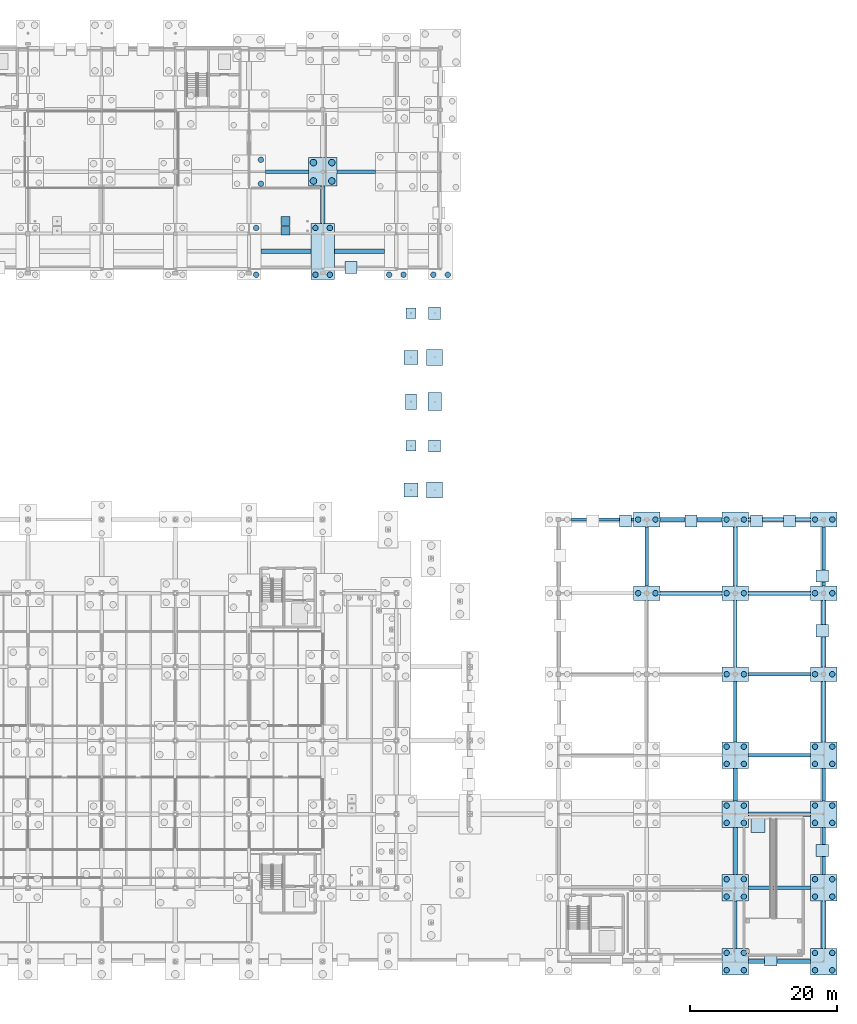
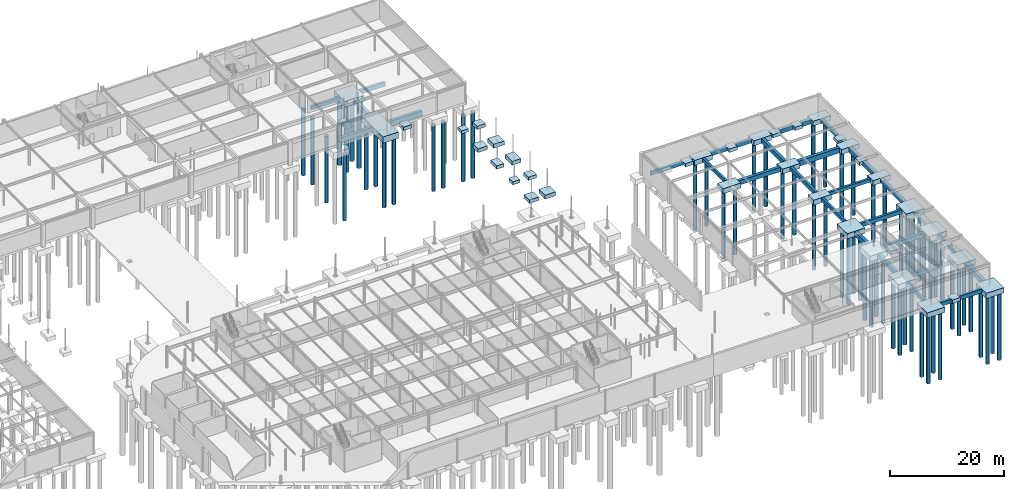
# One storey, part 10 of 75: 68 footings, 64 piles.
"""IFC4 building model written with IfcOpenShell, lengths in metres."""

from ifc_helpers import new_model, si_unit, derived_unit, direction, frame, origin, origin_2d_with_axis, place, context, subcontext, project, spatial, rectangle, circle, extrude, material, layer, layer_set, material_profile, profile_set, type_object, element, save


model = new_model("IFC4")

# Units and contexts
model_context = context("Model", 3, precision=1e-05, world=origin(), true_north=direction((0.0, 1.0)))
body_context = subcontext(model_context, "Body", "Model", "MODEL_VIEW")
ifc_project = project(units=[si_unit("LENGTHUNIT", "METRE"), si_unit("AREAUNIT", "SQUARE_METRE"), si_unit("VOLUMEUNIT", "CUBIC_METRE"), si_unit("PLANEANGLEUNIT", "RADIAN"), si_unit("MASSUNIT", "GRAM", prefix="KILO"), derived_unit("THERMALTRANSMITTANCEUNIT", [(si_unit("POWERUNIT", "WATT"), 1), (si_unit("LENGTHUNIT", "METRE"), -2), (si_unit("THERMODYNAMICTEMPERATUREUNIT", "KELVIN"), -1)])], contexts=[model_context])

# Site, building, storey
site_placement = place(None, origin())
site = spatial("IfcSite", under=ifc_project, at=site_placement, CompositionType="ELEMENT")
building_placement = place(site_placement, origin())
building = spatial("IfcBuilding", under=site, at=building_placement, Name="Cinnabar Yard Market Hall", CompositionType="ELEMENT")
storey_placement = place(building_placement, frame((0.0, 0.0, -4.5)))
storey = spatial("IfcBuildingStorey", under=building, at=storey_placement, Name="B1", CompositionType="ELEMENT", Elevation=-4.5)

# Footings
ifc_material = material(Name="Concrete 40 MPa", Category="concrete")
ifc_material_profile_1 = material_profile(ifc_material, rectangle(XDim=0.449951171875, YDim=0.75, at=origin_2d_with_axis()), Name="GB-450x750")
ifc_profile_set_1 = profile_set([ifc_material_profile_1], Name="Concrete 40 MPa")
footing_type_1 = type_object("IfcFootingType", Name="FT-GB01", PredefinedType="FOOTING_BEAM", material=ifc_profile_set_1)
for number, where, z_axis, x_axis, name in (
    (1, (203.800048828125, 24.0, -0.824951171875), (1.0, 0.0, 0.0), (0.0, 1.0, 0.0), "Ground Beam X 0020"),
    (2, (203.800048828125, 53.0, -0.824951171875), (1.0, 0.0, 0.0), (0.0, 1.0, 0.0), "Ground Beam X 0056"),
    (3, (179.800048828125, 74.0, -0.824951171875), (1.0, 0.0, 0.0), (0.0, 1.0, 0.0), "Ground Beam X 0096"),
):
    element("IfcFooting", number, at=place(storey_placement, frame(where, z_axis=z_axis, x_axis=x_axis)), inside=storey, type_object=footing_type_1, Name=name, PredefinedType="FOOTING_BEAM", context=body_context, shape_type="SweptSolid", body=[
        extrude(rectangle(XDim=0.449951171875, YDim=0.75, at=origin_2d_with_axis()), origin(), (0.0, 0.0, 1.0), 8.39990234375),
    ])
footing_1_placement = place(storey_placement, frame((138.25, 121.199951171875, -0.824951171875), z_axis=(1.0, 0.0, 0.0), x_axis=(0.0, 1.0, 0.0)))
element("IfcFooting", 4, at=footing_1_placement, inside=storey, type_object=footing_type_1, Name="Ground Beam X 0128", PredefinedType="FOOTING_BEAM", context=body_context, shape_type="SweptSolid", body=[
    extrude(rectangle(XDim=0.449951171875, YDim=0.75, at=origin_2d_with_axis()), origin(), (0.0, 0.0, 1.0), 5.800048828125),
])
footing_2_placement = place(storey_placement, frame((190.0, 65.0, -0.824951171875), z_axis=(0.0, 1.0, 0.0), x_axis=(-1.0, 0.0, 0.0)))
element("IfcFooting", 5, at=footing_2_placement, inside=storey, type_object=footing_type_1, Name="Ground Beam Y 0276", PredefinedType="FOOTING_BEAM", context=body_context, shape_type="SweptSolid", body=[
    extrude(rectangle(XDim=0.449951171875, YDim=0.75, at=origin_2d_with_axis()), origin(), (0.0, 0.0, 1.0), 8.0),
])
footing_3_placement = place(storey_placement, frame((202.0, 43.800048828125, -0.824951171875), z_axis=(0.0, 1.0, 0.0), x_axis=(-1.0, 0.0, 0.0)))
element("IfcFooting", 6, at=footing_3_placement, inside=storey, type_object=footing_type_1, Name="Ground Beam Y 0280", PredefinedType="FOOTING_BEAM", context=body_context, shape_type="SweptSolid", body=[
    extrude(rectangle(XDim=0.449951171875, YDim=0.75, at=origin_2d_with_axis()), origin(), (0.0, 0.0, 1.0), 8.199951171875),
])
footing_4_placement = place(storey_placement, frame((214.0, 25.800048828125, -0.824951171875), z_axis=(0.0, 1.0, 0.0), x_axis=(-1.0, 0.0, 0.0)))
element("IfcFooting", 7, at=footing_4_placement, inside=storey, type_object=footing_type_1, Name="Ground Beam Y 0284", PredefinedType="FOOTING_BEAM", context=body_context, shape_type="SweptSolid", body=[
    extrude(rectangle(XDim=0.449951171875, YDim=0.75, at=origin_2d_with_axis()), origin(), (0.0, 0.0, 1.0), 6.39990234375),
])
footing_5_placement = place(storey_placement, frame((214.0, 65.0, -0.824951171875), z_axis=(0.0, 1.0, 0.0), x_axis=(-1.0, 0.0, 0.0)))
element("IfcFooting", 8, at=footing_5_placement, inside=storey, type_object=footing_type_1, Name="Ground Beam Y 0288", PredefinedType="FOOTING_BEAM", context=body_context, shape_type="SweptSolid", body=[
    extrude(rectangle(XDim=0.449951171875, YDim=0.75, at=origin_2d_with_axis()), origin(), (0.0, 0.0, 1.0), 8.0),
])
ifc_material_profile_2 = material_profile(ifc_material, rectangle(XDim=0.5, YDim=0.85009765625, at=origin_2d_with_axis()), Name="GB-500x850")
ifc_profile_set_2 = profile_set([ifc_material_profile_2], Name="Concrete 40 MPa")
footing_type_2 = type_object("IfcFootingType", Name="FT-GB02", PredefinedType="FOOTING_BEAM", material=ifc_profile_set_2)
for number, where, z_axis, x_axis, name in (
    (9, (203.800048828125, 14.0, -0.875), (1.0, 0.0, 0.0), (0.0, 1.0, 0.0), "Ground Beam X 0009"),
    (10, (203.800048828125, 42.0, -0.875), (1.0, 0.0, 0.0), (0.0, 1.0, 0.0), "Ground Beam X 0037"),
    (11, (191.800048828125, 74.0, -0.875), (1.0, 0.0, 0.0), (0.0, 1.0, 0.0), "Ground Beam X 0097"),
):
    element("IfcFooting", number, at=place(storey_placement, frame(where, z_axis=z_axis, x_axis=x_axis)), inside=storey, type_object=footing_type_2, Name=name, PredefinedType="FOOTING_BEAM", context=body_context, shape_type="SweptSolid", body=[
        extrude(rectangle(XDim=0.5, YDim=0.85009765625, at=origin_2d_with_axis()), origin(), (0.0, 0.0, 1.0), 8.39990234375),
    ])
footing_6_placement = place(storey_placement, frame((147.949951171875, 121.199951171875, -0.875), z_axis=(1.0, 0.0, 0.0), x_axis=(0.0, 1.0, 0.0)))
element("IfcFooting", 12, at=footing_6_placement, inside=storey, type_object=footing_type_2, Name="Ground Beam X 0129", PredefinedType="FOOTING_BEAM", context=body_context, shape_type="SweptSolid", body=[
    extrude(rectangle(XDim=0.5, YDim=0.85009765625, at=origin_2d_with_axis()), origin(), (0.0, 0.0, 1.0), 5.25),
])
footing_7_placement = place(storey_placement, frame((202.0, 15.800048828125, -0.875), z_axis=(0.0, 1.0, 0.0), x_axis=(-1.0, 0.0, 0.0)))
element("IfcFooting", 13, at=footing_7_placement, inside=storey, type_object=footing_type_2, Name="Ground Beam Y 0277", PredefinedType="FOOTING_BEAM", context=body_context, shape_type="SweptSolid", body=[
    extrude(rectangle(XDim=0.5, YDim=0.85009765625, at=origin_2d_with_axis()), origin(), (0.0, 0.0, 1.0), 6.39990234375),
])
footing_8_placement = place(storey_placement, frame((202.0, 54.0, -0.875), z_axis=(0.0, 1.0, 0.0), x_axis=(-1.0, 0.0, 0.0)))
element("IfcFooting", 14, at=footing_8_placement, inside=storey, type_object=footing_type_2, Name="Ground Beam Y 0281", PredefinedType="FOOTING_BEAM", context=body_context, shape_type="SweptSolid", body=[
    extrude(rectangle(XDim=0.5, YDim=0.85009765625, at=origin_2d_with_axis()), origin(), (0.0, 0.0, 1.0), 9.0),
])
footing_9_placement = place(storey_placement, frame((214.0, 35.800048828125, -0.875), z_axis=(0.0, 1.0, 0.0), x_axis=(-1.0, 0.0, 0.0)))
element("IfcFooting", 15, at=footing_9_placement, inside=storey, type_object=footing_type_2, Name="Ground Beam Y 0285", PredefinedType="FOOTING_BEAM", context=body_context, shape_type="SweptSolid", body=[
    extrude(rectangle(XDim=0.5, YDim=0.85009765625, at=origin_2d_with_axis()), origin(), (0.0, 0.0, 1.0), 4.39990234375),
])
ifc_material_profile_3 = material_profile(ifc_material, rectangle(XDim=0.60009765625, YDim=0.949951171875, at=origin_2d_with_axis()), Name="GB-600x950")
ifc_profile_set_3 = profile_set([ifc_material_profile_3], Name="Concrete 40 MPa")
footing_type_3 = type_object("IfcFootingType", Name="FT-GB03", PredefinedType="FOOTING_BEAM", material=ifc_profile_set_3)
for number, where, z_axis, x_axis, name in (
    (16, (203.800048828125, 34.0, -0.925048828125), (1.0, 0.0, 0.0), (0.0, 1.0, 0.0), "Ground Beam X 0034"),
    (17, (191.800048828125, 64.0, -0.925048828125), (1.0, 0.0, 0.0), (0.0, 1.0, 0.0), "Ground Beam X 0082"),
    (18, (203.800048828125, 74.0, -0.925048828125), (1.0, 0.0, 0.0), (0.0, 1.0, 0.0), "Ground Beam X 0098"),
):
    element("IfcFooting", number, at=place(storey_placement, frame(where, z_axis=z_axis, x_axis=x_axis)), inside=storey, type_object=footing_type_3, Name=name, PredefinedType="FOOTING_BEAM", context=body_context, shape_type="SweptSolid", body=[
        extrude(rectangle(XDim=0.60009765625, YDim=0.949951171875, at=origin_2d_with_axis()), origin(), (0.0, 0.0, 1.0), 8.39990234375),
    ])
footing_10_placement = place(storey_placement, frame((137.60009765625, 110.39990234375, -0.925048828125), z_axis=(1.0, 0.0, 0.0), x_axis=(0.0, 1.0, 0.0)))
element("IfcFooting", 19, at=footing_10_placement, inside=storey, type_object=footing_type_3, Name="Ground Beam X 0118", PredefinedType="FOOTING_BEAM", context=body_context, shape_type="SweptSolid", body=[
    extrude(rectangle(XDim=0.60009765625, YDim=0.949951171875, at=origin_2d_with_axis()), origin(), (0.0, 0.0, 1.0), 6.7998046875),
])
footing_11_placement = place(storey_placement, frame((146.0, 114.199951171875, -0.925048828125), z_axis=(0.0, 1.0, 0.0), x_axis=(-1.0, 0.0, 0.0)))
element("IfcFooting", 20, at=footing_11_placement, inside=storey, type_object=footing_type_3, Name="Ground Beam Y 0250", PredefinedType="FOOTING_BEAM", context=body_context, shape_type="SweptSolid", body=[
    extrude(rectangle(XDim=0.60009765625, YDim=0.949951171875, at=origin_2d_with_axis()), origin(), (0.0, 0.0, 1.0), 5.050048828125),
])
footing_12_placement = place(storey_placement, frame((202.0, 25.800048828125, -0.925048828125), z_axis=(0.0, 1.0, 0.0), x_axis=(-1.0, 0.0, 0.0)))
element("IfcFooting", 21, at=footing_12_placement, inside=storey, type_object=footing_type_3, Name="Ground Beam Y 0278", PredefinedType="FOOTING_BEAM", context=body_context, shape_type="SweptSolid", body=[
    extrude(rectangle(XDim=0.60009765625, YDim=0.949951171875, at=origin_2d_with_axis()), origin(), (0.0, 0.0, 1.0), 6.39990234375),
])
footing_13_placement = place(storey_placement, frame((202.0, 65.0, -0.925048828125), z_axis=(0.0, 1.0, 0.0), x_axis=(-1.0, 0.0, 0.0)))
element("IfcFooting", 22, at=footing_13_placement, inside=storey, type_object=footing_type_3, Name="Ground Beam Y 0282", PredefinedType="FOOTING_BEAM", context=body_context, shape_type="SweptSolid", body=[
    extrude(rectangle(XDim=0.60009765625, YDim=0.949951171875, at=origin_2d_with_axis()), origin(), (0.0, 0.0, 1.0), 8.0),
])
footing_14_placement = place(storey_placement, frame((214.0, 43.800048828125, -0.925048828125), z_axis=(0.0, 1.0, 0.0), x_axis=(-1.0, 0.0, 0.0)))
element("IfcFooting", 23, at=footing_14_placement, inside=storey, type_object=footing_type_3, Name="Ground Beam Y 0286", PredefinedType="FOOTING_BEAM", context=body_context, shape_type="SweptSolid", body=[
    extrude(rectangle(XDim=0.60009765625, YDim=0.949951171875, at=origin_2d_with_axis()), origin(), (0.0, 0.0, 1.0), 8.199951171875),
])
ifc_material_profile_4 = material_profile(ifc_material, rectangle(XDim=0.64990234375, YDim=1.10009765625, at=origin_2d_with_axis()), Name="GB-650x1100")
ifc_profile_set_4 = profile_set([ifc_material_profile_4], Name="Concrete 40 MPa")
footing_type_4 = type_object("IfcFootingType", Name="FT-GB04", PredefinedType="FOOTING_BEAM", material=ifc_profile_set_4)
footing_15_placement = place(storey_placement, frame((203.800048828125, 64.0, -1.0), z_axis=(1.0, 0.0, 0.0), x_axis=(0.0, 1.0, 0.0)))
element("IfcFooting", 24, at=footing_15_placement, inside=storey, type_object=footing_type_4, Name="Ground Beam X 0083", PredefinedType="FOOTING_BEAM", context=body_context, shape_type="SweptSolid", body=[
    extrude(rectangle(XDim=0.64990234375, YDim=1.10009765625, at=origin_2d_with_axis()), origin(), (0.0, 0.0, 1.0), 8.39990234375),
])
footing_16_placement = place(storey_placement, frame((147.60009765625, 110.39990234375, -1.0), z_axis=(1.0, 0.0, 0.0), x_axis=(0.0, 1.0, 0.0)))
element("IfcFooting", 25, at=footing_16_placement, inside=storey, type_object=footing_type_4, Name="Ground Beam X 0119", PredefinedType="FOOTING_BEAM", context=body_context, shape_type="SweptSolid", body=[
    extrude(rectangle(XDim=0.64990234375, YDim=1.10009765625, at=origin_2d_with_axis()), origin(), (0.0, 0.0, 1.0), 6.7998046875),
])
footing_17_placement = place(storey_placement, frame((202.0, 35.800048828125, -1.0), z_axis=(0.0, 1.0, 0.0), x_axis=(-1.0, 0.0, 0.0)))
element("IfcFooting", 26, at=footing_17_placement, inside=storey, type_object=footing_type_4, Name="Ground Beam Y 0279", PredefinedType="FOOTING_BEAM", context=body_context, shape_type="SweptSolid", body=[
    extrude(rectangle(XDim=0.64990234375, YDim=1.10009765625, at=origin_2d_with_axis()), origin(), (0.0, 0.0, 1.0), 4.39990234375),
])
footing_18_placement = place(storey_placement, frame((214.0, 15.800048828125, -1.0), z_axis=(0.0, 1.0, 0.0), x_axis=(-1.0, 0.0, 0.0)))
element("IfcFooting", 27, at=footing_18_placement, inside=storey, type_object=footing_type_4, Name="Ground Beam Y 0283", PredefinedType="FOOTING_BEAM", context=body_context, shape_type="SweptSolid", body=[
    extrude(rectangle(XDim=0.64990234375, YDim=1.10009765625, at=origin_2d_with_axis()), origin(), (0.0, 0.0, 1.0), 6.39990234375),
])
footing_19_placement = place(storey_placement, frame((214.0, 54.0, -1.0), z_axis=(0.0, 1.0, 0.0), x_axis=(-1.0, 0.0, 0.0)))
element("IfcFooting", 28, at=footing_19_placement, inside=storey, type_object=footing_type_4, Name="Ground Beam Y 0287", PredefinedType="FOOTING_BEAM", context=body_context, shape_type="SweptSolid", body=[
    extrude(rectangle(XDim=0.64990234375, YDim=1.10009765625, at=origin_2d_with_axis()), origin(), (0.0, 0.0, 1.0), 9.0),
])
ifc_layer_1 = layer(ifc_material, 1.050048828125)
ifc_layer_set_1 = layer_set([ifc_layer_1], Name="Concrete 40 MPa")
footing_type_5 = type_object("IfcFootingType", Name="FT-PC02", PredefinedType="PILE_CAP", material=ifc_layer_set_1)
for number, where, z_axis, x_axis, name in (
    (29, (190.0, 64.0, -1.5), (0.0, 0.0, 1.0), (1.0, 0.0, 0.0), "Pile Cap V4Y-02-02"),
    (30, (190.0, 74.0, -1.5), (0.0, 0.0, 1.0), (1.0, 0.0, 0.0), "Pile Cap V4Y-02-03"),
    (31, (202.0, 53.0, -1.5), (0.0, 0.0, 1.0), (1.0, 0.0, 0.0), "Pile Cap V4Y-03-01"),
    (32, (202.0, 64.0, -1.5), (0.0, 0.0, 1.0), (1.0, 0.0, 0.0), "Pile Cap V4Y-03-02"),
    (33, (202.0, 74.0, -1.5), (0.0, 0.0, 1.0), (1.0, 0.0, 0.0), "Pile Cap V4Y-03-03"),
    (34, (214.0, 53.0, -1.5), (0.0, 0.0, 1.0), (1.0, 0.0, 0.0), "Pile Cap V4Y-04-01"),
    (35, (214.0, 64.0, -1.5), (0.0, 0.0, 1.0), (1.0, 0.0, 0.0), "Pile Cap V4Y-04-02"),
    (36, (214.0, 74.0, -1.5), (0.0, 0.0, 1.0), (1.0, 0.0, 0.0), "Pile Cap V4Y-04-03"),
):
    element("IfcFooting", number, at=place(storey_placement, frame(where, z_axis=z_axis, x_axis=x_axis)), inside=storey, type_object=footing_type_5, Name=name, PredefinedType="PILE_CAP", context=body_context, shape_type="SweptSolid", body=[
        extrude(rectangle(XDim=3.60009765625, YDim=2.0, at=origin_2d_with_axis()), origin(), (0.0, 0.0, 1.0), 1.050048828125),
    ])
ifc_layer_2 = layer(ifc_material, 1.14990234375)
ifc_layer_set_2 = layer_set([ifc_layer_2], Name="Concrete 40 MPa")
footing_type_6 = type_object("IfcFootingType", Name="FT-PC03", PredefinedType="PILE_CAP", material=ifc_layer_set_2)
for number, where, z_axis, x_axis, name in (
    (37, (202.0, 14.0, -1.599853515625), (0.0, 0.0, 1.0), (1.0, 0.0, 0.0), "Pile Cap V4-03-01"),
    (38, (202.0, 24.0, -1.599853515625), (0.0, 0.0, 1.0), (1.0, 0.0, 0.0), "Pile Cap V4-03-02"),
    (39, (202.0, 34.0, -1.599853515625), (0.0, 0.0, 1.0), (1.0, 0.0, 0.0), "Pile Cap V4-03-03"),
    (40, (202.0, 42.0, -1.599853515625), (0.0, 0.0, 1.0), (1.0, 0.0, 0.0), "Pile Cap V4-03-04"),
    (41, (214.0, 14.0, -1.599853515625), (0.0, 0.0, 1.0), (1.0, 0.0, 0.0), "Pile Cap V4-04-01"),
    (42, (214.0, 24.0, -1.599853515625), (0.0, 0.0, 1.0), (1.0, 0.0, 0.0), "Pile Cap V4-04-02"),
    (43, (214.0, 34.0, -1.599853515625), (0.0, 0.0, 1.0), (1.0, 0.0, 0.0), "Pile Cap V4-04-03"),
    (44, (214.0, 42.0, -1.599853515625), (0.0, 0.0, 1.0), (1.0, 0.0, 0.0), "Pile Cap V4-04-04"),
):
    element("IfcFooting", number, at=place(storey_placement, frame(where, z_axis=z_axis, x_axis=x_axis)), inside=storey, type_object=footing_type_6, Name=name, PredefinedType="PILE_CAP", context=body_context, shape_type="SweptSolid", body=[
        extrude(rectangle(XDim=3.60009765625, YDim=3.60009765625, at=origin_2d_with_axis()), origin(), (0.0, 0.0, 1.0), 1.14990234375),
    ])
ifc_layer_3 = layer(ifc_material, 1.199951171875)
ifc_layer_set_3 = layer_set([ifc_layer_3], Name="Concrete 40 MPa")
footing_type_7 = type_object("IfcFootingType", Name="FT-PC04", PredefinedType="PILE_CAP", material=ifc_layer_set_3)
footing_20_placement = place(storey_placement, frame((146.0, 121.199951171875, -1.64990234375), z_axis=(0.0, 0.0, 1.0), x_axis=(1.0, 0.0, 0.0)))
element("IfcFooting", 45, at=footing_20_placement, inside=storey, type_object=footing_type_7, Name="Pile Cap V3-09-03", PredefinedType="PILE_CAP", context=body_context, shape_type="SweptSolid", body=[
    extrude(rectangle(XDim=3.89990234375, YDim=3.89990234375, at=origin_2d_with_axis()), origin(), (0.0, 0.0, 1.0), 1.199951171875),
])
ifc_layer_4 = layer(ifc_material, 1.35009765625)
ifc_layer_set_4 = layer_set([ifc_layer_4], Name="Concrete 40 MPa")
footing_type_8 = type_object("IfcFootingType", Name="FT-PC17", PredefinedType="PILE_CAP", material=ifc_layer_set_4)
footing_21_placement = place(storey_placement, frame((146.0, 110.39990234375, -1.800048828125), z_axis=(0.0, 0.0, 1.0), x_axis=(1.0, 0.0, 0.0)))
element("IfcFooting", 46, at=footing_21_placement, inside=storey, type_object=footing_type_8, Name="Pile Cap V3-09-01-PAIR", PredefinedType="PILE_CAP", context=body_context, shape_type="SweptSolid", body=[
    extrude(rectangle(XDim=3.199951171875, YDim=7.60009765625, at=origin_2d_with_axis()), origin(), (0.0, 0.0, 1.0), 1.35009765625),
])
ifc_layer_5 = layer(ifc_material, 0.64990234375)
ifc_layer_set_5 = layer_set([ifc_layer_5], Name="Concrete 40 MPa")
footing_type_9 = type_object("IfcFootingType", Name="FT-PF01", PredefinedType="PAD_FOOTING", material=ifc_layer_set_5)
for number, where, z_axis, x_axis, name in (
    (47, (158.0, 84.0, -1.099853515625), (0.0, 0.0, 1.0), (1.0, 0.0, 0.0), "Pad Footing V5E-A2"),
    (48, (158.0, 102.0, -1.099853515625), (0.0, 0.0, 1.0), (1.0, 0.0, 0.0), "Pad Footing V5E-A5"),
):
    element("IfcFooting", number, at=place(storey_placement, frame(where, z_axis=z_axis, x_axis=x_axis)), inside=storey, type_object=footing_type_9, Name=name, PredefinedType="PAD_FOOTING", context=body_context, shape_type="SweptSolid", body=[
        extrude(rectangle(XDim=1.39990234375, YDim=1.39990234375, at=origin_2d_with_axis()), origin(), (0.0, 0.0, 1.0), 0.64990234375),
    ])
ifc_layer_6 = layer(ifc_material, 0.719970703125)
ifc_layer_set_6 = layer_set([ifc_layer_6], Name="Concrete 40 MPa")
footing_type_10 = type_object("IfcFootingType", Name="FT-PF02", PredefinedType="PAD_FOOTING", material=ifc_layer_set_6)
for number, where, z_axis, x_axis, name in (
    (49, (161.199951171875, 84.0, -1.169921875), (0.0, 0.0, 1.0), (1.0, 0.0, 0.0), "Pad Footing V5E-B2"),
    (50, (161.199951171875, 102.0, -1.169921875), (0.0, 0.0, 1.0), (1.0, 0.0, 0.0), "Pad Footing V5E-B5"),
    (51, (149.85009765625, 108.199951171875, -1.169921875), (0.0, 0.0, 1.0), (1.0, 0.0, 0.0), "Wall Pad B1-RET-V3S-7"),
    (52, (206.824951171875, 14.199951171875, -1.169921875), (0.0, 0.0, 1.0), (1.0, 0.0, 0.0), "Wall Pad B1-RET-V4S-7"),
    (53, (213.800048828125, 29.10009765625, -1.169921875), (0.0, 0.0, 1.0), (1.0, 0.0, 0.0), "Wall Pad B1-RET-V4E-2"),
    (54, (213.800048828125, 58.89990234375, -1.169921875), (0.0, 0.0, 1.0), (1.0, 0.0, 0.0), "Wall Pad B1-RET-V4E-6"),
    (55, (213.800048828125, 66.35009765625, -1.169921875), (0.0, 0.0, 1.0), (1.0, 0.0, 0.0), "Wall Pad B1-RET-V4E-7"),
    (56, (209.35009765625, 73.800048828125, -1.169921875), (0.0, 0.0, 1.0), (1.0, 0.0, 0.0), "Wall Pad B1-RET-V4N-1"),
    (57, (204.89990234375, 73.800048828125, -1.169921875), (0.0, 0.0, 1.0), (1.0, 0.0, 0.0), "Wall Pad B1-RET-V4N-2"),
    (58, (196.0, 73.800048828125, -1.169921875), (0.0, 0.0, 1.0), (1.0, 0.0, 0.0), "Wall Pad B1-RET-V4N-4"),
    (59, (187.10009765625, 73.800048828125, -1.169921875), (0.0, 0.0, 1.0), (1.0, 0.0, 0.0), "Wall Pad B1-RET-V4N-6"),
):
    element("IfcFooting", number, at=place(storey_placement, frame(where, z_axis=z_axis, x_axis=x_axis)), inside=storey, type_object=footing_type_10, Name=name, PredefinedType="PAD_FOOTING", context=body_context, shape_type="SweptSolid", body=[
        extrude(rectangle(XDim=1.64990234375, YDim=1.64990234375, at=origin_2d_with_axis()), origin(), (0.0, 0.0, 1.0), 0.719970703125),
    ])
ifc_layer_7 = layer(ifc_material, 0.780029296875)
ifc_layer_set_7 = layer_set([ifc_layer_7], Name="Concrete 40 MPa")
footing_type_11 = type_object("IfcFootingType", Name="FT-PF03", PredefinedType="PAD_FOOTING", material=ifc_layer_set_7)
for number, where, z_axis, x_axis, name in (
    (60, (158.0, 78.0, -1.22998046875), (0.0, 0.0, 1.0), (1.0, 0.0, 0.0), "Pad Footing V5E-A1"),
    (61, (158.0, 96.0, -1.22998046875), (0.0, 0.0, 1.0), (1.0, 0.0, 0.0), "Pad Footing V5E-A4"),
    (62, (205.06005859375, 32.5, -1.10009765625), (0.0, 0.0, 1.0), (1.0, 0.0, 0.0), "Vehicle Ramp Toe Pad"),
):
    element("IfcFooting", number, at=place(storey_placement, frame(where, z_axis=z_axis, x_axis=x_axis)), inside=storey, type_object=footing_type_11, Name=name, PredefinedType="PAD_FOOTING", context=body_context, shape_type="SweptSolid", body=[
        extrude(rectangle(XDim=1.89990234375, YDim=1.89990234375, at=origin_2d_with_axis()), origin(), (0.0, 0.0, 1.0), 0.780029296875),
    ])
ifc_layer_8 = layer(ifc_material, 0.840087890625)
ifc_layer_set_8 = layer_set([ifc_layer_8], Name="Concrete 40 MPa")
footing_type_12 = type_object("IfcFootingType", Name="FT-PF04", PredefinedType="PAD_FOOTING", material=ifc_layer_set_8)
for number, where, z_axis, x_axis, name in (
    (63, (161.199951171875, 78.0, -1.2900390625), (0.0, 0.0, 1.0), (1.0, 0.0, 0.0), "Pad Footing V5E-B1"),
    (64, (161.199951171875, 96.0, -1.2900390625), (0.0, 0.0, 1.0), (1.0, 0.0, 0.0), "Pad Footing V5E-B4"),
):
    element("IfcFooting", number, at=place(storey_placement, frame(where, z_axis=z_axis, x_axis=x_axis)), inside=storey, type_object=footing_type_12, Name=name, PredefinedType="PAD_FOOTING", context=body_context, shape_type="SweptSolid", body=[
        extrude(rectangle(XDim=2.14990234375, YDim=2.14990234375, at=origin_2d_with_axis()), origin(), (0.0, 0.0, 1.0), 0.840087890625),
    ])
ifc_layer_9 = layer(ifc_material, 0.739990234375)
ifc_layer_set_9 = layer_set([ifc_layer_9], Name="Concrete 40 MPa")
footing_type_13 = type_object("IfcFootingType", Name="FT-PF05", PredefinedType="PAD_FOOTING", material=ifc_layer_set_9)
footing_22_placement = place(storey_placement, frame((158.0, 90.0, -1.18994140625), z_axis=(0.0, 0.0, 1.0), x_axis=(1.0, 0.0, 0.0)))
element("IfcFooting", 65, at=footing_22_placement, inside=storey, type_object=footing_type_13, Name="Pad Footing V5E-A3", PredefinedType="PAD_FOOTING", context=body_context, shape_type="SweptSolid", body=[
    extrude(rectangle(XDim=1.5, YDim=2.10009765625, at=origin_2d_with_axis()), origin(), (0.0, 0.0, 1.0), 0.739990234375),
])
ifc_layer_10 = layer(ifc_material, 0.820068359375)
ifc_layer_set_10 = layer_set([ifc_layer_10], Name="Concrete 40 MPa")
footing_type_14 = type_object("IfcFootingType", Name="FT-PF06", PredefinedType="PAD_FOOTING", material=ifc_layer_set_10)
footing_23_placement = place(storey_placement, frame((161.199951171875, 90.0, -1.27001953125), z_axis=(0.0, 0.0, 1.0), x_axis=(1.0, 0.0, 0.0)))
element("IfcFooting", 66, at=footing_23_placement, inside=storey, type_object=footing_type_14, Name="Pad Footing V5E-B3", PredefinedType="PAD_FOOTING", context=body_context, shape_type="SweptSolid", body=[
    extrude(rectangle(XDim=1.800048828125, YDim=2.449951171875, at=origin_2d_with_axis()), origin(), (0.0, 0.0, 1.0), 0.820068359375),
])
ifc_layer_11 = layer(ifc_material, 0.60009765625)
ifc_layer_set_11 = layer_set([ifc_layer_11], Name="Concrete 40 MPa")
footing_type_15 = type_object("IfcFootingType", Name="FT-PF08", PredefinedType="PAD_FOOTING", material=ifc_layer_set_11)
for number, where, z_axis, x_axis, name in (
    (67, (140.949951171875, 113.199951171875, -1.050048828125), (0.0, 0.0, 1.0), (1.0, 0.0, 0.0), "Feature Stair Pad ST-F6-1"),
    (68, (140.949951171875, 114.5, -1.050048828125), (0.0, 0.0, 1.0), (1.0, 0.0, 0.0), "Feature Stair Pad ST-F6-3"),
):
    element("IfcFooting", number, at=place(storey_placement, frame(where, z_axis=z_axis, x_axis=x_axis)), inside=storey, type_object=footing_type_15, Name=name, PredefinedType="PAD_FOOTING", context=body_context, shape_type="SweptSolid", body=[
        extrude(rectangle(XDim=1.199951171875, YDim=1.199951171875, at=origin_2d_with_axis()), origin(), (0.0, 0.0, 1.0), 0.60009765625),
    ])

# Piles
ifc_material_profile_5 = material_profile(ifc_material, circle(Radius=0.375, at=origin_2d_with_axis()), Name="PILE-D750")
ifc_profile_set_5 = profile_set([ifc_material_profile_5], Name="Concrete 40 MPa")
pile_type_1 = type_object("IfcPileType", Name="PILE-PL750", PredefinedType="BORED", material=ifc_profile_set_5)
for number, where, z_axis, x_axis, name in (
    (69, (136.97509765625, 107.22509765625, -1.699951171875), (0.0, 0.0, -1.0), (1.0, 0.0, 0.0), "Bored Pile 0442"),
    (70, (136.97509765625, 113.574951171875, -1.699951171875), (0.0, 0.0, -1.0), (1.0, 0.0, 0.0), "Bored Pile 0444"),
    (71, (137.625, 119.574951171875, -1.699951171875), (0.0, 0.0, -1.0), (1.0, 0.0, 0.0), "Bored Pile 0446"),
    (72, (137.625, 122.824951171875, -1.699951171875), (0.0, 0.0, -1.0), (1.0, 0.0, 0.0), "Bored Pile 0448"),
    (73, (145.02490234375, 107.22509765625, -1.699951171875), (0.0, 0.0, -1.0), (1.0, 0.0, 0.0), "Bored Pile 0457"),
    (74, (146.97509765625, 107.22509765625, -1.699951171875), (0.0, 0.0, -1.0), (1.0, 0.0, 0.0), "Bored Pile 0458"),
    (75, (145.02490234375, 113.574951171875, -1.699951171875), (0.0, 0.0, -1.0), (1.0, 0.0, 0.0), "Bored Pile 0459"),
    (76, (146.97509765625, 113.574951171875, -1.699951171875), (0.0, 0.0, -1.0), (1.0, 0.0, 0.0), "Bored Pile 0460"),
    (77, (155.02490234375, 107.22509765625, -1.699951171875), (0.0, 0.0, -1.0), (1.0, 0.0, 0.0), "Bored Pile 0473"),
    (78, (156.97509765625, 107.22509765625, -1.699951171875), (0.0, 0.0, -1.0), (1.0, 0.0, 0.0), "Bored Pile 0474"),
    (79, (161.02490234375, 107.22509765625, -1.699951171875), (0.0, 0.0, -1.0), (1.0, 0.0, 0.0), "Bored Pile 0489"),
    (80, (162.97509765625, 107.22509765625, -1.699951171875), (0.0, 0.0, -1.0), (1.0, 0.0, 0.0), "Bored Pile 0490"),
):
    element("IfcPile", number, at=place(storey_placement, frame(where, z_axis=z_axis, x_axis=x_axis)), inside=storey, type_object=pile_type_1, Name=name, PredefinedType="BORED", context=body_context, shape_type="SweptSolid", body=[
        extrude(circle(Radius=0.375, at=origin_2d_with_axis()), origin(), (0.0, 0.0, 1.0), 14.300048828125),
    ])
for number, where, z_axis, x_axis, name in (
    (81, (200.824951171875, 12.824951171875, -1.5), (0.0, 0.0, -1.0), (1.0, 0.0, 0.0), "Bored Pile 0537"),
    (82, (203.175048828125, 12.824951171875, -1.5), (0.0, 0.0, -1.0), (1.0, 0.0, 0.0), "Bored Pile 0538"),
    (83, (200.824951171875, 15.175048828125, -1.5), (0.0, 0.0, -1.0), (1.0, 0.0, 0.0), "Bored Pile 0539"),
    (84, (203.175048828125, 15.175048828125, -1.5), (0.0, 0.0, -1.0), (1.0, 0.0, 0.0), "Bored Pile 0540"),
    (85, (200.824951171875, 22.824951171875, -1.5), (0.0, 0.0, -1.0), (1.0, 0.0, 0.0), "Bored Pile 0541"),
    (86, (203.175048828125, 22.824951171875, -1.5), (0.0, 0.0, -1.0), (1.0, 0.0, 0.0), "Bored Pile 0542"),
    (87, (200.824951171875, 25.175048828125, -1.5), (0.0, 0.0, -1.0), (1.0, 0.0, 0.0), "Bored Pile 0543"),
    (88, (203.175048828125, 25.175048828125, -1.5), (0.0, 0.0, -1.0), (1.0, 0.0, 0.0), "Bored Pile 0544"),
    (89, (200.824951171875, 32.824951171875, -1.5), (0.0, 0.0, -1.0), (1.0, 0.0, 0.0), "Bored Pile 0545"),
    (90, (203.175048828125, 32.824951171875, -1.5), (0.0, 0.0, -1.0), (1.0, 0.0, 0.0), "Bored Pile 0546"),
    (91, (200.824951171875, 35.175048828125, -1.5), (0.0, 0.0, -1.0), (1.0, 0.0, 0.0), "Bored Pile 0547"),
    (92, (203.175048828125, 35.175048828125, -1.5), (0.0, 0.0, -1.0), (1.0, 0.0, 0.0), "Bored Pile 0548"),
    (93, (200.824951171875, 40.824951171875, -1.5), (0.0, 0.0, -1.0), (1.0, 0.0, 0.0), "Bored Pile 0549"),
    (94, (203.175048828125, 40.824951171875, -1.5), (0.0, 0.0, -1.0), (1.0, 0.0, 0.0), "Bored Pile 0550"),
    (95, (200.824951171875, 43.175048828125, -1.5), (0.0, 0.0, -1.0), (1.0, 0.0, 0.0), "Bored Pile 0551"),
    (96, (203.175048828125, 43.175048828125, -1.5), (0.0, 0.0, -1.0), (1.0, 0.0, 0.0), "Bored Pile 0552"),
    (97, (212.824951171875, 12.824951171875, -1.5), (0.0, 0.0, -1.0), (1.0, 0.0, 0.0), "Bored Pile 0553"),
    (98, (215.175048828125, 12.824951171875, -1.5), (0.0, 0.0, -1.0), (1.0, 0.0, 0.0), "Bored Pile 0554"),
    (99, (212.824951171875, 15.175048828125, -1.5), (0.0, 0.0, -1.0), (1.0, 0.0, 0.0), "Bored Pile 0555"),
    (100, (215.175048828125, 15.175048828125, -1.5), (0.0, 0.0, -1.0), (1.0, 0.0, 0.0), "Bored Pile 0556"),
    (101, (212.824951171875, 22.824951171875, -1.5), (0.0, 0.0, -1.0), (1.0, 0.0, 0.0), "Bored Pile 0557"),
    (102, (215.175048828125, 22.824951171875, -1.5), (0.0, 0.0, -1.0), (1.0, 0.0, 0.0), "Bored Pile 0558"),
    (103, (212.824951171875, 25.175048828125, -1.5), (0.0, 0.0, -1.0), (1.0, 0.0, 0.0), "Bored Pile 0559"),
    (104, (215.175048828125, 25.175048828125, -1.5), (0.0, 0.0, -1.0), (1.0, 0.0, 0.0), "Bored Pile 0560"),
    (105, (212.824951171875, 32.824951171875, -1.5), (0.0, 0.0, -1.0), (1.0, 0.0, 0.0), "Bored Pile 0561"),
    (106, (215.175048828125, 32.824951171875, -1.5), (0.0, 0.0, -1.0), (1.0, 0.0, 0.0), "Bored Pile 0562"),
    (107, (212.824951171875, 35.175048828125, -1.5), (0.0, 0.0, -1.0), (1.0, 0.0, 0.0), "Bored Pile 0563"),
    (108, (215.175048828125, 35.175048828125, -1.5), (0.0, 0.0, -1.0), (1.0, 0.0, 0.0), "Bored Pile 0564"),
    (109, (212.824951171875, 40.824951171875, -1.5), (0.0, 0.0, -1.0), (1.0, 0.0, 0.0), "Bored Pile 0565"),
    (110, (215.175048828125, 40.824951171875, -1.5), (0.0, 0.0, -1.0), (1.0, 0.0, 0.0), "Bored Pile 0566"),
    (111, (212.824951171875, 43.175048828125, -1.5), (0.0, 0.0, -1.0), (1.0, 0.0, 0.0), "Bored Pile 0567"),
    (112, (215.175048828125, 43.175048828125, -1.5), (0.0, 0.0, -1.0), (1.0, 0.0, 0.0), "Bored Pile 0568"),
):
    element("IfcPile", number, at=place(storey_placement, frame(where, z_axis=z_axis, x_axis=x_axis)), inside=storey, type_object=pile_type_1, Name=name, PredefinedType="BORED", context=body_context, shape_type="SweptSolid", body=[
        extrude(circle(Radius=0.375, at=origin_2d_with_axis()), origin(), (0.0, 0.0, 1.0), 14.5),
    ])
for number, where, z_axis, x_axis, name in (
    (113, (188.824951171875, 64.0, -1.39990234375), (0.0, 0.0, -1.0), (1.0, 0.0, 0.0), "Bored Pile 0577"),
    (114, (191.175048828125, 64.0, -1.39990234375), (0.0, 0.0, -1.0), (1.0, 0.0, 0.0), "Bored Pile 0578"),
    (115, (188.824951171875, 74.0, -1.39990234375), (0.0, 0.0, -1.0), (1.0, 0.0, 0.0), "Bored Pile 0579"),
    (116, (191.175048828125, 74.0, -1.39990234375), (0.0, 0.0, -1.0), (1.0, 0.0, 0.0), "Bored Pile 0580"),
    (117, (200.824951171875, 53.0, -1.39990234375), (0.0, 0.0, -1.0), (1.0, 0.0, 0.0), "Bored Pile 0581"),
    (118, (203.175048828125, 53.0, -1.39990234375), (0.0, 0.0, -1.0), (1.0, 0.0, 0.0), "Bored Pile 0582"),
    (119, (200.824951171875, 64.0, -1.39990234375), (0.0, 0.0, -1.0), (1.0, 0.0, 0.0), "Bored Pile 0583"),
    (120, (203.175048828125, 64.0, -1.39990234375), (0.0, 0.0, -1.0), (1.0, 0.0, 0.0), "Bored Pile 0584"),
    (121, (200.824951171875, 74.0, -1.39990234375), (0.0, 0.0, -1.0), (1.0, 0.0, 0.0), "Bored Pile 0585"),
    (122, (203.175048828125, 74.0, -1.39990234375), (0.0, 0.0, -1.0), (1.0, 0.0, 0.0), "Bored Pile 0586"),
    (123, (212.824951171875, 53.0, -1.39990234375), (0.0, 0.0, -1.0), (1.0, 0.0, 0.0), "Bored Pile 0587"),
    (124, (215.175048828125, 53.0, -1.39990234375), (0.0, 0.0, -1.0), (1.0, 0.0, 0.0), "Bored Pile 0588"),
    (125, (212.824951171875, 64.0, -1.39990234375), (0.0, 0.0, -1.0), (1.0, 0.0, 0.0), "Bored Pile 0589"),
    (126, (215.175048828125, 64.0, -1.39990234375), (0.0, 0.0, -1.0), (1.0, 0.0, 0.0), "Bored Pile 0590"),
    (127, (212.824951171875, 74.0, -1.39990234375), (0.0, 0.0, -1.0), (1.0, 0.0, 0.0), "Bored Pile 0591"),
    (128, (215.175048828125, 74.0, -1.39990234375), (0.0, 0.0, -1.0), (1.0, 0.0, 0.0), "Bored Pile 0592"),
):
    element("IfcPile", number, at=place(storey_placement, frame(where, z_axis=z_axis, x_axis=x_axis)), inside=storey, type_object=pile_type_1, Name=name, PredefinedType="BORED", context=body_context, shape_type="SweptSolid", body=[
        extrude(circle(Radius=0.375, at=origin_2d_with_axis()), origin(), (0.0, 0.0, 1.0), 14.60009765625),
    ])
ifc_material_profile_6 = material_profile(ifc_material, circle(Radius=0.449951171875, at=origin_2d_with_axis()), Name="PILE-D900")
ifc_profile_set_6 = profile_set([ifc_material_profile_6], Name="Concrete 40 MPa")
pile_type_2 = type_object("IfcPileType", Name="PILE-PL900", PredefinedType="BORED", material=ifc_profile_set_6)
for number, where, z_axis, x_axis, name in (
    (129, (144.75, 119.949951171875, -1.550048828125), (0.0, 0.0, -1.0), (1.0, 0.0, 0.0), "Bored Pile 0461"),
    (130, (147.25, 119.949951171875, -1.550048828125), (0.0, 0.0, -1.0), (1.0, 0.0, 0.0), "Bored Pile 0462"),
    (131, (144.75, 122.449951171875, -1.550048828125), (0.0, 0.0, -1.0), (1.0, 0.0, 0.0), "Bored Pile 0463"),
    (132, (147.25, 122.449951171875, -1.550048828125), (0.0, 0.0, -1.0), (1.0, 0.0, 0.0), "Bored Pile 0464"),
):
    element("IfcPile", number, at=place(storey_placement, frame(where, z_axis=z_axis, x_axis=x_axis)), inside=storey, type_object=pile_type_2, Name=name, PredefinedType="BORED", context=body_context, shape_type="SweptSolid", body=[
        extrude(circle(Radius=0.449951171875, at=origin_2d_with_axis()), origin(), (0.0, 0.0, 1.0), 14.449951171875),
    ])

save(model, "model.ifc")
